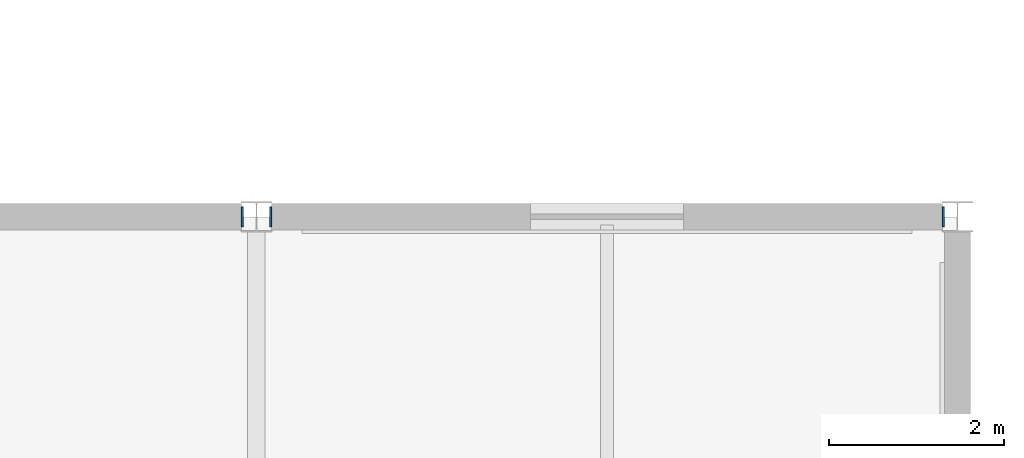
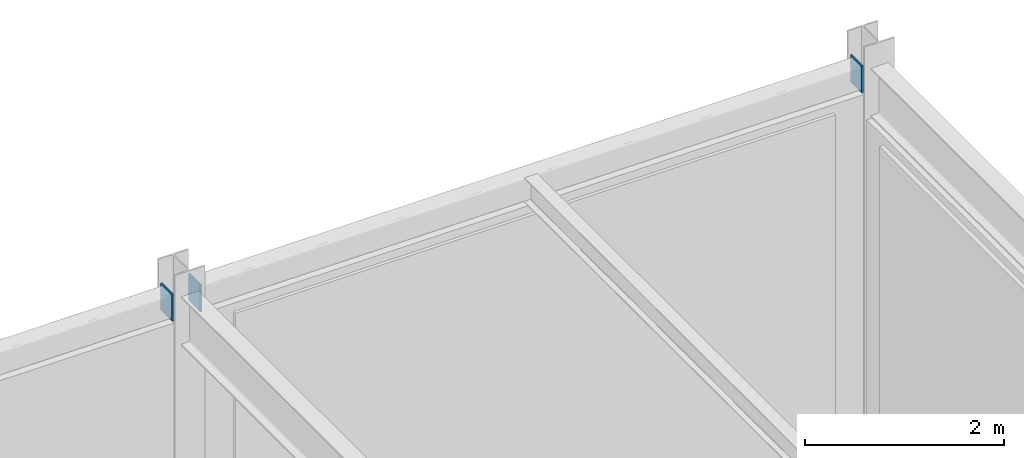
# One storey, part 159 of 184: 3 plates.
"""IFC4 building model written with IfcOpenShell, lengths in metres."""

import ifcopenshell
import ifcopenshell.guid

model = None  # the IFC model being written
_history = None  # IfcOwnerHistory: only IFC2X3 demands one
_inside = {}  # id of a spatial element -> (the spatial element, [elements in it])
_under = {}  # id of a project, library or spatial element -> (it, [spatial elements below it])
_declared = {}  # id of a project -> (the project, [libraries it declares])
_typed = {}  # id of a type object -> (the type object, [elements of that type])
_made_of = {}  # id of a material, layer set ... -> (it, [elements and type objects made of it])


def new_model(schema):
    """Start an empty IFC model of exactly this schema.

    Asked for "IFC4X3", IfcOpenShell would pick the latest addendum, in which some entities
    have other attributes; the version numbers below select the first issue.
    IFC2X3 requires an IfcOwnerHistory on every rooted entity: one is made here for all.
    """
    global model, _history
    if schema == "IFC4X3":
        model = ifcopenshell.file(schema_version=(4, 3, 0, 0))
    else:
        model = ifcopenshell.file(schema=schema)
    _inside.clear()
    _under.clear()
    _declared.clear()
    _typed.clear()
    _made_of.clear()
    _history = None
    if model.schema == "IFC2X3":
        org = make("IfcOrganization", Name="unknown")
        user = make(
            "IfcPersonAndOrganization",
            ThePerson=make("IfcPerson", FamilyName="unknown"),
            TheOrganization=org,
        )
        app = make(
            "IfcApplication",
            ApplicationDeveloper=org,
            Version="unknown",
            ApplicationFullName="unknown",
            ApplicationIdentifier="unknown",
        )
        _history = make(
            "IfcOwnerHistory",
            OwningUser=user,
            OwningApplication=app,
            ChangeAction="ADDED",
            CreationDate=0,
        )
    return model


def make(cls, **values):
    """One entity of the class cls with the attributes given. An attribute that is None is left unset."""
    return model.create_entity(
        cls, **{name: value for name, value in values.items() if value is not None}
    )


def rooted(cls, **values):
    """An entity with a GlobalId (a new one), such as an element, a storey or a relation."""
    return make(cls, GlobalId=ifcopenshell.guid.new(), OwnerHistory=_history, **values)


def si_unit(unit_type, name, prefix=None):
    """IfcSIUnit, for example si_unit("LENGTHUNIT", "METRE", prefix="MILLI")."""
    return make("IfcSIUnit", UnitType=unit_type, Prefix=prefix, Name=name)


def assignment(units):
    """IfcUnitAssignment: the units of a project."""
    return None if units is None else make("IfcUnitAssignment", Units=units)


def point(xyz):
    """IfcCartesianPoint."""
    return None if xyz is None else make("IfcCartesianPoint", Coordinates=xyz)


def direction(xyz):
    """IfcDirection."""
    return None if xyz is None else make("IfcDirection", DirectionRatios=xyz)


def frame(location, z_axis=None, x_axis=None):
    """IfcAxis2Placement3D, a coordinate frame: its origin and axes. An axis left out is left unset."""
    return make(
        "IfcAxis2Placement3D",
        Location=point(location),
        Axis=direction(z_axis),
        RefDirection=direction(x_axis),
    )


def frame_2d(location, x_axis=None):
    """IfcAxis2Placement2D, a coordinate frame in the plane: its origin and x axis."""
    return make(
        "IfcAxis2Placement2D", Location=point(location), RefDirection=direction(x_axis)
    )


def origin():
    """The frame at (0, 0, 0) with its axes left unset."""
    return frame((0.0, 0.0, 0.0))


def origin_2d():
    """The frame at (0, 0) in the plane with its x axis left unset."""
    return frame_2d((0.0, 0.0))


def place(relative_to, where):
    """IfcLocalPlacement: puts the frame where relative to a parent placement (None: the world)."""
    return make(
        "IfcLocalPlacement", PlacementRelTo=relative_to, RelativePlacement=where
    )


def context(
    kind, dimensions, precision=None, world=None, true_north=None, identifier=None
):
    """IfcGeometricRepresentationContext, for example the 3D "Model" context."""
    return make(
        "IfcGeometricRepresentationContext",
        ContextIdentifier=identifier,
        ContextType=kind,
        CoordinateSpaceDimension=dimensions,
        Precision=precision,
        WorldCoordinateSystem=world,
        TrueNorth=true_north,
    )


def subcontext(parent, identifier, kind, view, scale=None):
    """IfcGeometricRepresentationSubContext, for example "Body" below "Model"."""
    return make(
        "IfcGeometricRepresentationSubContext",
        ContextIdentifier=identifier,
        ContextType=kind,
        ParentContext=parent,
        TargetScale=scale,
        TargetView=view,
    )


def project(units=None, contexts=None):
    """IfcProject with its units and contexts."""
    return rooted(
        "IfcProject",
        Name="project",
        RepresentationContexts=contexts,
        UnitsInContext=assignment(units),
    )


def spatial(cls, under=None, at=None, **own):
    """A site, building, storey or space (cls), placed at a placement, below another one or the project."""
    s = rooted(cls, ObjectPlacement=at, **own)
    if under is not None:
        _under.setdefault(under.id(), (under, []))[1].append(s)
    return s


def profile(cls, at=None, kind="AREA", **sizes):
    """A parametric profile (cls). Its sizes go by their IFC names, for example OverallWidth=200.0."""
    return make(cls, ProfileType=kind, Position=at, **sizes)


def rectangle(**sizes):
    """IfcRectangleProfileDef."""
    return profile("IfcRectangleProfileDef", **sizes)


def extrude(swept, where, along, depth):
    """IfcExtrudedAreaSolid: the profile swept, set in the frame where, extruded along a direction by depth."""
    return make(
        "IfcExtrudedAreaSolid",
        SweptArea=swept,
        Position=where,
        ExtrudedDirection=direction(along),
        Depth=depth,
    )


def shape(context_of_items, identifier, shape_type, items):
    """IfcShapeRepresentation: the items that make up one representation, for example the "Body"."""
    return make(
        "IfcShapeRepresentation",
        ContextOfItems=context_of_items,
        RepresentationIdentifier=identifier,
        RepresentationType=shape_type,
        Items=items,
    )


def material(Name=None, Category=None):
    """IfcMaterial."""
    return make("IfcMaterial", Name=Name, Category=Category)


def layer(
    of_material, thickness, ventilated=None, Name=None, Category=None, Priority=None
):
    """IfcMaterialLayer: one layer of a wall or slab, of a material (None: an air gap)."""
    return make(
        "IfcMaterialLayer",
        Material=of_material,
        LayerThickness=thickness,
        IsVentilated=ventilated,
        Name=Name,
        Category=Category,
        Priority=Priority,
    )


def layer_set(layers, Name=None):
    """IfcMaterialLayerSet."""
    return make("IfcMaterialLayerSet", MaterialLayers=layers, LayerSetName=Name)


def made_of(thing, what):
    """Note that an element or type object is made of a material, layer set ...; save() writes the relation."""
    if what is not None:
        _made_of.setdefault(what.id(), (what, []))[1].append(thing)
    return thing


def type_object(cls, material=None, **own):
    """A type object (cls), such as IfcWallType, which elements share."""
    return made_of(rooted(cls, **own), material)


def element(
    cls,
    number,
    at=None,
    inside=None,
    cuts=None,
    type_object=None,
    material=None,
    context=None,
    identifier="Body",
    shape_type=None,
    held_by="IfcProductDefinitionShape",
    body=None,
    shapes=None,
    **own,
):
    """One element of the class cls, such as IfcWall. Its Tag is "e" and its number.

    at: its placement. inside: the storey or other place that contains it. cuts: it is an
    opening in that element (IfcRelVoidsElement). A single representation is given by context,
    identifier, shape_type and body (its items); several are given by shapes. held_by: the class
    of the entity that holds the representations. save() writes the other relations.
    """
    e = rooted(cls, Tag="e%d" % number, ObjectPlacement=at, **own)
    if body is not None:
        shapes = [shape(context, identifier, shape_type, body)]
    if shapes is not None:
        e.Representation = make(held_by, Representations=shapes)
    if inside is not None:
        _inside.setdefault(inside.id(), (inside, []))[1].append(e)
    if cuts is not None:
        rooted(
            "IfcRelVoidsElement", RelatingBuildingElement=cuts, RelatedOpeningElement=e
        )
    if type_object is not None:
        _typed.setdefault(type_object.id(), (type_object, []))[1].append(e)
    return made_of(e, material)


def aggregate(whole, parts):
    """IfcRelAggregates: a whole, such as a stair, and the parts it consists of."""
    return rooted("IfcRelAggregates", RelatingObject=whole, RelatedObjects=parts)


def save(model, path):
    """Write the relations noted so far, then the file.

    IfcRelAggregates (storeys below a building ...), IfcRelContainedInSpatialStructure (elements
    in a storey), IfcRelDefinesByType, IfcRelAssociatesMaterial and IfcRelDeclares: one each for
    every whole, place, type object, material and project.
    """
    for whole, parts in _under.values():
        aggregate(whole, parts)
    for where, things in _inside.values():
        rooted(
            "IfcRelContainedInSpatialStructure",
            RelatedElements=things,
            RelatingStructure=where,
        )
    for kind, things in _typed.values():
        rooted("IfcRelDefinesByType", RelatedObjects=things, RelatingType=kind)
    for what, things in _made_of.values():
        rooted("IfcRelAssociatesMaterial", RelatedObjects=things, RelatingMaterial=what)
    for by, libraries in _declared.values():
        rooted("IfcRelDeclares", RelatingContext=by, RelatedDefinitions=libraries)
    model.write(path)


model = new_model("IFC4")

# Units and contexts
model_context = context("Model", 3, precision=1e-05, world=origin(), true_north=direction((0.0, 1.0)))
body_context = subcontext(model_context, "Body", "Model", "MODEL_VIEW")
ifc_project = project(units=[si_unit("LENGTHUNIT", "METRE"), si_unit("AREAUNIT", "SQUARE_METRE"), si_unit("VOLUMEUNIT", "CUBIC_METRE"), si_unit("PLANEANGLEUNIT", "RADIAN"), si_unit("MASSUNIT", "GRAM", prefix="KILO")], contexts=[model_context])

# Site, building, storey
site_placement = place(None, origin())
site = spatial("IfcSite", under=ifc_project, at=site_placement, CompositionType="ELEMENT")
building_placement = place(site_placement, origin())
building = spatial("IfcBuilding", under=site, at=building_placement, Name="Zhaolan Boulevard Law Courts", CompositionType="ELEMENT")
storey_placement = place(building_placement, frame((0.0, 0.0, 5.39990234375)))
storey = spatial("IfcBuildingStorey", under=building, at=storey_placement, Name="L01", CompositionType="ELEMENT", Elevation=5.39990234375)

# Plates
ifc_material = material(Name="Structural steel Q355B", Category="steel")
ifc_layer = layer(ifc_material, 0.02001953125)
ifc_layer_set = layer_set([ifc_layer])
plate_type = type_object("IfcPlateType", Name="END CAP PLATE 20", PredefinedType="SHEET", material=ifc_layer_set)
for number, where, z_axis, x_axis, name in (
    (1, (155.8369140625, 94.0, 4.802978515625), (0.0, 0.0, 1.0), (1.0, 0.0, 0.0), "Hollow Section End-Cap Plate ECP-0850"),
    (2, (156.1630859375, 94.0, 4.802978515625), (0.0, 0.0, 1.0), (1.0, 0.0, 0.0), "Hollow Section End-Cap Plate ECP-0851"),
    (3, (163.8369140625, 94.0, 4.802978515625), (0.0, 0.0, 1.0), (1.0, 0.0, 0.0), "Hollow Section End-Cap Plate ECP-0852"),
):
    element("IfcPlate", number, at=place(storey_placement, frame(where, z_axis=z_axis, x_axis=x_axis)), inside=storey, type_object=plate_type, Name=name, PredefinedType="SHEET", context=body_context, shape_type="SweptSolid", body=[
        extrude(rectangle(XDim=0.02001953125, YDim=0.22998046875, at=origin_2d()), origin(), (0.0, 0.0, 1.0), 0.330078125),
    ])

save(model, "model.ifc")
